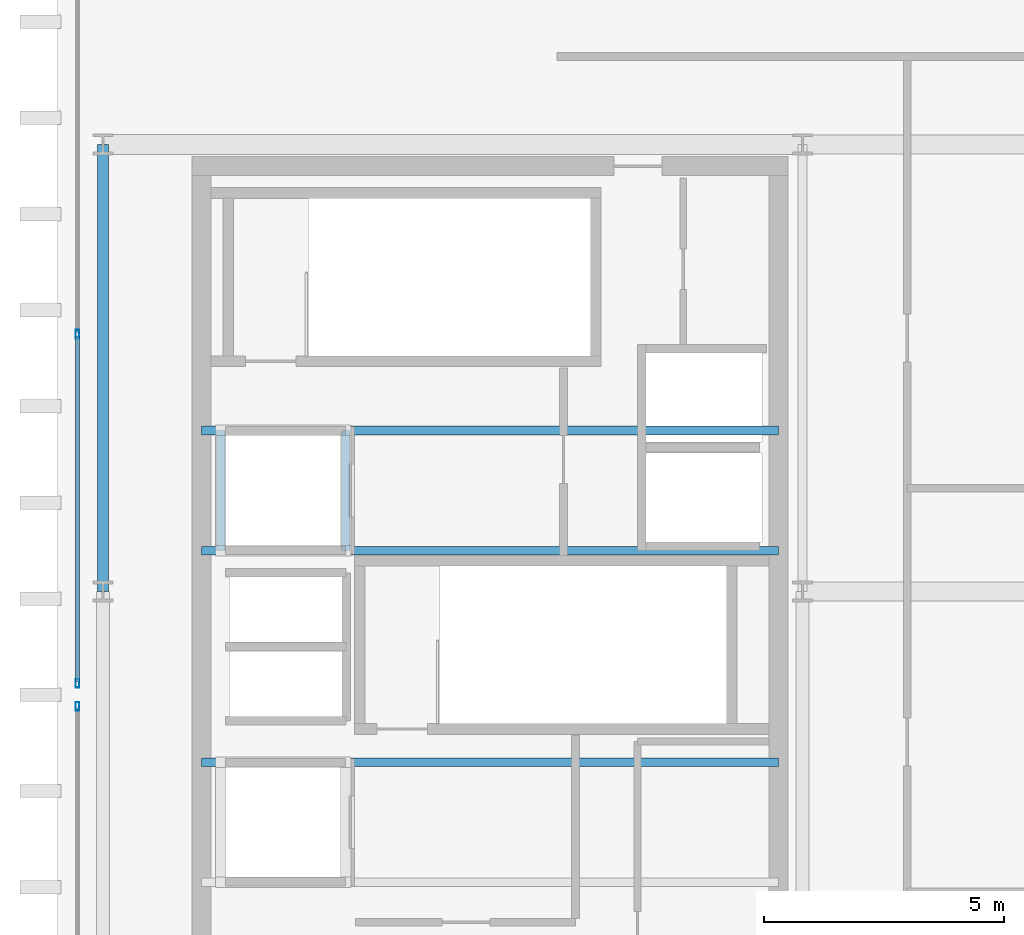
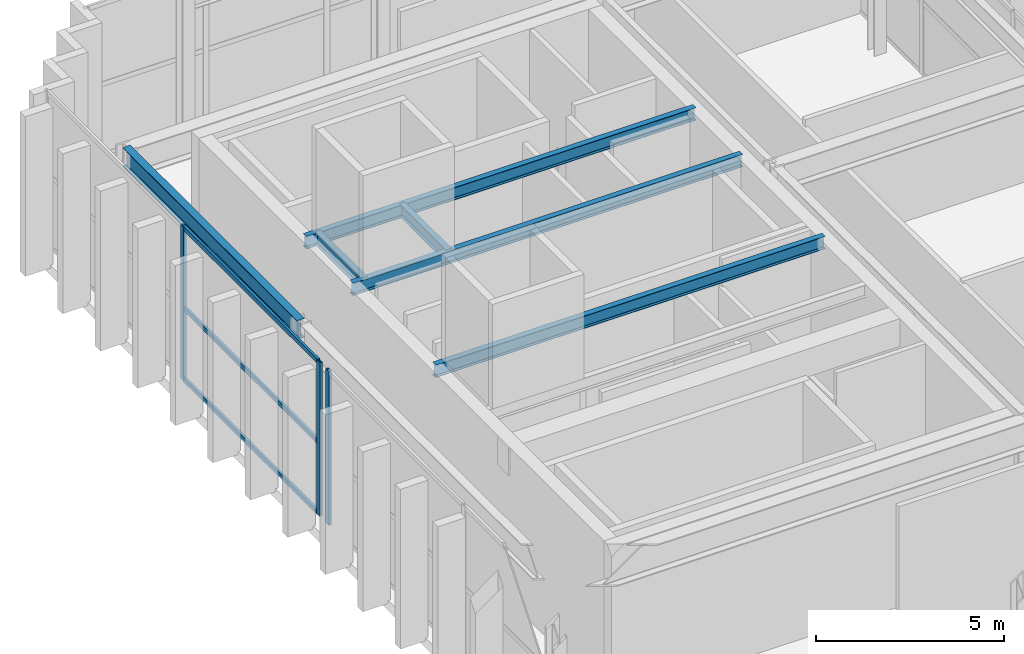
# One storey, part 6 of 14: 6 beams, 6 members, 2 elements without a shape of their own.
"""IFC4 building model written with IfcOpenShell, lengths in metres."""

import ifcopenshell
import ifcopenshell.guid

model = None  # the IFC model being written
_history = None  # IfcOwnerHistory: only IFC2X3 demands one
_inside = {}  # id of a spatial element -> (the spatial element, [elements in it])
_under = {}  # id of a project, library or spatial element -> (it, [spatial elements below it])
_declared = {}  # id of a project -> (the project, [libraries it declares])
_typed = {}  # id of a type object -> (the type object, [elements of that type])
_made_of = {}  # id of a material, layer set ... -> (it, [elements and type objects made of it])


def new_model(schema):
    """Start an empty IFC model of exactly this schema.

    Asked for "IFC4X3", IfcOpenShell would pick the latest addendum, in which some entities
    have other attributes; the version numbers below select the first issue.
    IFC2X3 requires an IfcOwnerHistory on every rooted entity: one is made here for all.
    """
    global model, _history
    if schema == "IFC4X3":
        model = ifcopenshell.file(schema_version=(4, 3, 0, 0))
    else:
        model = ifcopenshell.file(schema=schema)
    _inside.clear()
    _under.clear()
    _declared.clear()
    _typed.clear()
    _made_of.clear()
    _history = None
    if model.schema == "IFC2X3":
        org = make("IfcOrganization", Name="unknown")
        user = make(
            "IfcPersonAndOrganization",
            ThePerson=make("IfcPerson", FamilyName="unknown"),
            TheOrganization=org,
        )
        app = make(
            "IfcApplication",
            ApplicationDeveloper=org,
            Version="unknown",
            ApplicationFullName="unknown",
            ApplicationIdentifier="unknown",
        )
        _history = make(
            "IfcOwnerHistory",
            OwningUser=user,
            OwningApplication=app,
            ChangeAction="ADDED",
            CreationDate=0,
        )
    return model


def make(cls, **values):
    """One entity of the class cls with the attributes given. An attribute that is None is left unset."""
    return model.create_entity(
        cls, **{name: value for name, value in values.items() if value is not None}
    )


def rooted(cls, **values):
    """An entity with a GlobalId (a new one), such as an element, a storey or a relation."""
    return make(cls, GlobalId=ifcopenshell.guid.new(), OwnerHistory=_history, **values)


def si_unit(unit_type, name, prefix=None):
    """IfcSIUnit, for example si_unit("LENGTHUNIT", "METRE", prefix="MILLI")."""
    return make("IfcSIUnit", UnitType=unit_type, Prefix=prefix, Name=name)


def assignment(units):
    """IfcUnitAssignment: the units of a project."""
    return None if units is None else make("IfcUnitAssignment", Units=units)


def point(xyz):
    """IfcCartesianPoint."""
    return None if xyz is None else make("IfcCartesianPoint", Coordinates=xyz)


def direction(xyz):
    """IfcDirection."""
    return None if xyz is None else make("IfcDirection", DirectionRatios=xyz)


def frame(location, z_axis=None, x_axis=None):
    """IfcAxis2Placement3D, a coordinate frame: its origin and axes. An axis left out is left unset."""
    return make(
        "IfcAxis2Placement3D",
        Location=point(location),
        Axis=direction(z_axis),
        RefDirection=direction(x_axis),
    )


def frame_2d(location, x_axis=None):
    """IfcAxis2Placement2D, a coordinate frame in the plane: its origin and x axis."""
    return make(
        "IfcAxis2Placement2D", Location=point(location), RefDirection=direction(x_axis)
    )


def origin():
    """The frame at (0, 0, 0) with its axes left unset."""
    return frame((0.0, 0.0, 0.0))


def origin_2d():
    """The frame at (0, 0) in the plane with its x axis left unset."""
    return frame_2d((0.0, 0.0))


def place(relative_to, where):
    """IfcLocalPlacement: puts the frame where relative to a parent placement (None: the world)."""
    return make(
        "IfcLocalPlacement", PlacementRelTo=relative_to, RelativePlacement=where
    )


def context(
    kind, dimensions, precision=None, world=None, true_north=None, identifier=None
):
    """IfcGeometricRepresentationContext, for example the 3D "Model" context."""
    return make(
        "IfcGeometricRepresentationContext",
        ContextIdentifier=identifier,
        ContextType=kind,
        CoordinateSpaceDimension=dimensions,
        Precision=precision,
        WorldCoordinateSystem=world,
        TrueNorth=true_north,
    )


def subcontext(parent, identifier, kind, view, scale=None):
    """IfcGeometricRepresentationSubContext, for example "Body" below "Model"."""
    return make(
        "IfcGeometricRepresentationSubContext",
        ContextIdentifier=identifier,
        ContextType=kind,
        ParentContext=parent,
        TargetScale=scale,
        TargetView=view,
    )


def project(units=None, contexts=None):
    """IfcProject with its units and contexts."""
    return rooted(
        "IfcProject",
        Name="project",
        RepresentationContexts=contexts,
        UnitsInContext=assignment(units),
    )


def spatial(cls, under=None, at=None, **own):
    """A site, building, storey or space (cls), placed at a placement, below another one or the project."""
    s = rooted(cls, ObjectPlacement=at, **own)
    if under is not None:
        _under.setdefault(under.id(), (under, []))[1].append(s)
    return s


def profile(cls, at=None, kind="AREA", **sizes):
    """A parametric profile (cls). Its sizes go by their IFC names, for example OverallWidth=200.0."""
    return make(cls, ProfileType=kind, Position=at, **sizes)


def hollow_rectangle(**sizes):
    """IfcRectangleHollowProfileDef."""
    return profile("IfcRectangleHollowProfileDef", **sizes)


def i_section(**sizes):
    """IfcIShapeProfileDef."""
    return profile("IfcIShapeProfileDef", **sizes)


def extrude(swept, where, along, depth):
    """IfcExtrudedAreaSolid: the profile swept, set in the frame where, extruded along a direction by depth."""
    return make(
        "IfcExtrudedAreaSolid",
        SweptArea=swept,
        Position=where,
        ExtrudedDirection=direction(along),
        Depth=depth,
    )


def shape(context_of_items, identifier, shape_type, items):
    """IfcShapeRepresentation: the items that make up one representation, for example the "Body"."""
    return make(
        "IfcShapeRepresentation",
        ContextOfItems=context_of_items,
        RepresentationIdentifier=identifier,
        RepresentationType=shape_type,
        Items=items,
    )


def source(mapping_origin, context_of_items, identifier, shape_type, items):
    """IfcRepresentationMap: a shape defined once, which mapped items show again and again."""
    return make(
        "IfcRepresentationMap",
        MappingOrigin=mapping_origin,
        MappedRepresentation=shape(context_of_items, identifier, shape_type, items),
    )


def transform(
    local_origin,
    x_axis=None,
    y_axis=None,
    z_axis=None,
    scale=None,
    scale2=None,
    scale3=None,
    uniform=True,
):
    """IfcCartesianTransformationOperator3D, or its non-uniform kind. x_axis, y_axis, z_axis: its Axis1, 2, 3."""
    if uniform:
        return make(
            "IfcCartesianTransformationOperator3D",
            Axis1=direction(x_axis),
            Axis2=direction(y_axis),
            LocalOrigin=point(local_origin),
            Scale=scale,
            Axis3=direction(z_axis),
        )
    return make(
        "IfcCartesianTransformationOperator3DnonUniform",
        Axis1=direction(x_axis),
        Axis2=direction(y_axis),
        LocalOrigin=point(local_origin),
        Scale=scale,
        Axis3=direction(z_axis),
        Scale2=scale2,
        Scale3=scale3,
    )


def mapped(mapping_source, mapping_target):
    """IfcMappedItem: shows the shape of a source again, moved by a transform."""
    return make(
        "IfcMappedItem", MappingSource=mapping_source, MappingTarget=mapping_target
    )


def material(Name=None, Category=None):
    """IfcMaterial."""
    return make("IfcMaterial", Name=Name, Category=Category)


def layer(
    of_material, thickness, ventilated=None, Name=None, Category=None, Priority=None
):
    """IfcMaterialLayer: one layer of a wall or slab, of a material (None: an air gap)."""
    return make(
        "IfcMaterialLayer",
        Material=of_material,
        LayerThickness=thickness,
        IsVentilated=ventilated,
        Name=Name,
        Category=Category,
        Priority=Priority,
    )


def layer_set(layers, Name=None):
    """IfcMaterialLayerSet."""
    return make("IfcMaterialLayerSet", MaterialLayers=layers, LayerSetName=Name)


def material_profile(
    of_material, cross_section, Name=None, Category=None, Priority=None
):
    """IfcMaterialProfile: a cross section and its material."""
    return make(
        "IfcMaterialProfile",
        Name=Name,
        Material=of_material,
        Profile=cross_section,
        Priority=Priority,
        Category=Category,
    )


def profile_set(profiles, Name=None, composite=None):
    """IfcMaterialProfileSet."""
    return make(
        "IfcMaterialProfileSet",
        Name=Name,
        MaterialProfiles=profiles,
        CompositeProfile=composite,
    )


def made_of(thing, what):
    """Note that an element or type object is made of a material, layer set ...; save() writes the relation."""
    if what is not None:
        _made_of.setdefault(what.id(), (what, []))[1].append(thing)
    return thing


def type_object(cls, material=None, **own):
    """A type object (cls), such as IfcWallType, which elements share."""
    return made_of(rooted(cls, **own), material)


def element(
    cls,
    number,
    at=None,
    inside=None,
    cuts=None,
    type_object=None,
    material=None,
    context=None,
    identifier="Body",
    shape_type=None,
    held_by="IfcProductDefinitionShape",
    body=None,
    shapes=None,
    **own,
):
    """One element of the class cls, such as IfcWall. Its Tag is "e" and its number.

    at: its placement. inside: the storey or other place that contains it. cuts: it is an
    opening in that element (IfcRelVoidsElement). A single representation is given by context,
    identifier, shape_type and body (its items); several are given by shapes. held_by: the class
    of the entity that holds the representations. save() writes the other relations.
    """
    e = rooted(cls, Tag="e%d" % number, ObjectPlacement=at, **own)
    if body is not None:
        shapes = [shape(context, identifier, shape_type, body)]
    if shapes is not None:
        e.Representation = make(held_by, Representations=shapes)
    if inside is not None:
        _inside.setdefault(inside.id(), (inside, []))[1].append(e)
    if cuts is not None:
        rooted(
            "IfcRelVoidsElement", RelatingBuildingElement=cuts, RelatedOpeningElement=e
        )
    if type_object is not None:
        _typed.setdefault(type_object.id(), (type_object, []))[1].append(e)
    return made_of(e, material)


def aggregate(whole, parts):
    """IfcRelAggregates: a whole, such as a stair, and the parts it consists of."""
    return rooted("IfcRelAggregates", RelatingObject=whole, RelatedObjects=parts)


def save(model, path):
    """Write the relations noted so far, then the file.

    IfcRelAggregates (storeys below a building ...), IfcRelContainedInSpatialStructure (elements
    in a storey), IfcRelDefinesByType, IfcRelAssociatesMaterial and IfcRelDeclares: one each for
    every whole, place, type object, material and project.
    """
    for whole, parts in _under.values():
        aggregate(whole, parts)
    for where, things in _inside.values():
        rooted(
            "IfcRelContainedInSpatialStructure",
            RelatedElements=things,
            RelatingStructure=where,
        )
    for kind, things in _typed.values():
        rooted("IfcRelDefinesByType", RelatedObjects=things, RelatingType=kind)
    for what, things in _made_of.values():
        rooted("IfcRelAssociatesMaterial", RelatedObjects=things, RelatingMaterial=what)
    for by, libraries in _declared.values():
        rooted("IfcRelDeclares", RelatingContext=by, RelatedDefinitions=libraries)
    model.write(path)


model = new_model("IFC4")

# Units and contexts
model_context = context("Model", 3, precision=1e-05, world=origin(), true_north=direction((0.0, 1.0)))
body_context = subcontext(model_context, "Body", "Model", "MODEL_VIEW")
ifc_project = project(units=[si_unit("LENGTHUNIT", "METRE"), si_unit("AREAUNIT", "SQUARE_METRE"), si_unit("VOLUMEUNIT", "CUBIC_METRE"), si_unit("PLANEANGLEUNIT", "RADIAN"), si_unit("MASSUNIT", "GRAM", prefix="KILO")], contexts=[model_context])

# Site, building, storey
site_placement = place(None, origin())
site = spatial("IfcSite", under=ifc_project, at=site_placement, CompositionType="ELEMENT")
building_placement = place(site_placement, origin())
building = spatial("IfcBuilding", under=site, at=building_placement, Name="Ocotamira Hotel", CompositionType="ELEMENT")
storey_placement = place(building_placement, frame((0.0, 0.0, 309.60009765625)))
storey = spatial("IfcBuildingStorey", under=building, at=storey_placement, Name="L79", CompositionType="ELEMENT", Elevation=309.60009765625)

# Beams
ifc_material_1 = material(Name="Steel ASTM A992 Grade 50", Category="steel")
ifc_material_profile_1 = material_profile(ifc_material_1, i_section(OverallWidth=0.22998046875, OverallDepth=0.616943359375, WebThickness=0.01318359375, FlangeThickness=0.022216796875, FilletRadius=0.012939453125, at=origin_2d()), Name="W24X94")
ifc_profile_set_1 = profile_set([ifc_material_profile_1], Name="Steel ASTM A992 Grade 50")
beam_type_1 = type_object("IfcBeamType", Name="BM-PRIM-W24X94", PredefinedType="BEAM", material=ifc_profile_set_1)
shared_shape_1 = source(origin(), body_context, "Body", "SweptSolid", [
    extrude(i_section(OverallWidth=0.22998046875, OverallDepth=0.616943359375, WebThickness=0.01318359375, FlangeThickness=0.022216796875, FilletRadius=0.012939453125, at=origin_2d()), origin(), (0.0, 0.0, 1.0), 9.300048828125),
])
beam_placement = place(storey_placement, frame((8.949951171875, 28.14990234375, 4.69140625), z_axis=(0.0, 1.0, 0.0), x_axis=(-1.0, 0.0, 0.0)))
element("IfcBeam", 1, at=beam_placement, inside=storey, type_object=beam_type_1, Name="L79 Beam X8.95 Y28.15-37.45", PredefinedType="BEAM", context=body_context, shape_type="MappedRepresentation", body=[
    mapped(shared_shape_1, transform((0.0, 0.0, 0.0), scale=1.0)),
])
ifc_material_profile_2 = material_profile(ifc_material_1, i_section(OverallWidth=0.178955078125, OverallDepth=0.408935546875, WebThickness=0.0087890625, FlangeThickness=0.014404296875, FilletRadius=0.010009765625, at=origin_2d()), Name="W16X45")
ifc_profile_set_2 = profile_set([ifc_material_profile_2], Name="Steel ASTM A992 Grade 50")
beam_type_2 = type_object("IfcBeamType", Name="BM-CURB-W16X45", PredefinedType="BEAM", material=ifc_profile_set_2)
shared_shape_2 = source(origin(), body_context, "Body", "SweptSolid", [
    extrude(i_section(OverallWidth=0.178955078125, OverallDepth=0.408935546875, WebThickness=0.0087890625, FlangeThickness=0.014404296875, FilletRadius=0.010009765625, at=origin_2d()), origin(), (0.0, 0.0, 1.0), 12.0),
])
for number, where, z_axis, x_axis, name in (
    (2, (11.0, 24.60009765625, 4.79541015625), (1.0, 0.0, 0.0), (0.0, 1.0, 0.0), "L79 FSAE Overrun Curb Beam 2"),
    (3, (11.0, 29.0, 4.79541015625), (1.0, 0.0, 0.0), (0.0, 1.0, 0.0), "L79 FSAE Overrun Curb Beam 3"),
    (4, (11.0, 31.5, 4.79541015625), (1.0, 0.0, 0.0), (0.0, 1.0, 0.0), "L79 FSAE Overrun Curb Beam 4"),
):
    element("IfcBeam", number, at=place(storey_placement, frame(where, z_axis=z_axis, x_axis=x_axis)), inside=storey, type_object=beam_type_2, Name=name, PredefinedType="BEAM", context=body_context, shape_type="MappedRepresentation", body=[
        mapped(shared_shape_2, transform((0.0, 0.0, 0.0), scale=1.0)),
    ])
shared_shape_3 = source(origin(), body_context, "Body", "SweptSolid", [
    extrude(i_section(OverallWidth=0.178955078125, OverallDepth=0.408935546875, WebThickness=0.0087890625, FlangeThickness=0.014404296875, FilletRadius=0.010009765625, at=origin_2d()), origin(), (0.0, 0.0, 1.0), 2.5),
])
for number, where, z_axis, x_axis, name in (
    (5, (11.39990234375, 29.0, 4.79541015625), (0.0, 1.0, 0.0), (-1.0, 0.0, 0.0), "L79 FSAE 2 Overrun Curb Girder NS 1"),
    (6, (14.0, 29.0, 4.79541015625), (0.0, 1.0, 0.0), (-1.0, 0.0, 0.0), "L79 FSAE 2 Overrun Curb Girder NS 2"),
):
    element("IfcBeam", number, at=place(storey_placement, frame(where, z_axis=z_axis, x_axis=x_axis)), inside=storey, type_object=beam_type_2, Name=name, PredefinedType="BEAM", context=body_context, shape_type="MappedRepresentation", body=[
        mapped(shared_shape_3, transform((0.0, 0.0, 0.0), scale=1.0)),
    ])

# Curtain wall, members
ifc_material_2 = material(Name="Anodised pale-metal aluminium and solar glass", Category="aluminium")
ifc_layer = layer(ifc_material_2, 0.2099609375)
ifc_layer_set = layer_set([ifc_layer], Name="Anodised pale-metal aluminium and solar glass")
curtain_wall_type = type_object("IfcCurtainWallType", Name="CW-SYS7-PEAK", PredefinedType="NOTDEFINED", material=ifc_layer_set)
curtain_wall_1_placement = place(storey_placement, origin())
curtain_wall_1 = element("IfcCurtainWall", 7, at=curtain_wall_1_placement, inside=storey, type_object=curtain_wall_type, Name="L79 Curtain Wall CW-7 CW-L79-W2", PredefinedType="NOTDEFINED")
ifc_material_3 = material(Name="Anodised pale-metal aluminium 6063-T6", Category="aluminium")
ifc_material_profile_3 = material_profile(ifc_material_3, hollow_rectangle(XDim=0.074951171875, YDim=0.14990234375, WallThickness=0.006103515625, at=origin_2d()), Name="HSS150X75X6")
ifc_profile_set_3 = profile_set([ifc_material_profile_3], Name="Anodised pale-metal aluminium 6063-T6")
member_type_1 = type_object("IfcMemberType", Name="CWT-150X75", PredefinedType="USERDEFINED", material=ifc_profile_set_3)
shared_shape_4 = source(origin(), body_context, "Body", "SweptSolid", [
    extrude(hollow_rectangle(XDim=0.074951171875, YDim=0.14990234375, WallThickness=0.006103515625, at=origin_2d()), origin(), (0.0, 0.0, 1.0), 7.179931640625),
])
member_1_placement = place(storey_placement, frame((8.419921875, 26.280029296875, 0.037353515625), z_axis=(0.0, 1.0, 0.0), x_axis=(-1.0, 0.0, 0.0)))
member_1 = element("IfcMember", 8, at=member_1_placement, type_object=member_type_1, Name="CW-7 transom 1.1", ObjectType="TRANSOM", PredefinedType="USERDEFINED", context=body_context, shape_type="MappedRepresentation", body=[
    mapped(shared_shape_4, transform((0.0, 0.0, 0.0), scale=1.0)),
])
member_2_placement = place(storey_placement, frame((8.419921875, 26.280029296875, 2.349853515625), z_axis=(0.0, 1.0, 0.0), x_axis=(-1.0, 0.0, 0.0)))
member_2 = element("IfcMember", 9, at=member_2_placement, type_object=member_type_1, Name="CW-7 transom 1.2", ObjectType="TRANSOM", PredefinedType="USERDEFINED", context=body_context, shape_type="MappedRepresentation", body=[
    mapped(shared_shape_4, transform((0.0, 0.0, 0.0), scale=1.0)),
])
member_3_placement = place(storey_placement, frame((8.419921875, 26.280029296875, 4.96240234375), z_axis=(0.0, 1.0, 0.0), x_axis=(-1.0, 0.0, 0.0)))
member_3 = element("IfcMember", 10, at=member_3_placement, type_object=member_type_1, Name="CW-7 transom 1.3", ObjectType="TRANSOM", PredefinedType="USERDEFINED", context=body_context, shape_type="MappedRepresentation", body=[
    mapped(shared_shape_4, transform((0.0, 0.0, 0.0), scale=1.0)),
])

# Curtain wall, member
curtain_wall_2_placement = place(storey_placement, origin())
curtain_wall_2 = element("IfcCurtainWall", 11, at=curtain_wall_2_placement, inside=storey, type_object=curtain_wall_type, Name="L79 Curtain Wall CW-7 CW-L79-W1", PredefinedType="NOTDEFINED")
ifc_material_profile_4 = material_profile(ifc_material_3, hollow_rectangle(XDim=0.080078125, YDim=0.179931640625, WallThickness=0.006103515625, at=origin_2d()), Name="HSS180X80X6")
ifc_profile_set_4 = profile_set([ifc_material_profile_4], Name="Anodised pale-metal aluminium 6063-T6")
member_type_2 = type_object("IfcMemberType", Name="CWM-180X75", PredefinedType="MULLION", material=ifc_profile_set_4)
shared_shape_5 = source(origin(), body_context, "Body", "SweptSolid", [
    extrude(hollow_rectangle(XDim=0.080078125, YDim=0.179931640625, WallThickness=0.006103515625, at=origin_2d()), origin(), (0.0, 0.0, 1.0), 5.0),
])
member_4_placement = place(storey_placement, frame((8.419921875, 25.760009765625, 0.0), z_axis=(0.0, 0.0, 1.0), x_axis=(-1.0, 0.0, 0.0)))
member_4 = element("IfcMember", 12, at=member_4_placement, type_object=member_type_2, Name="CW-7 mullion 3", PredefinedType="MULLION", context=body_context, shape_type="MappedRepresentation", body=[
    mapped(shared_shape_5, transform((0.0, 0.0, 0.0), scale=1.0)),
])
aggregate(curtain_wall_2, [member_4])

# Member
member_5_placement = place(storey_placement, frame((8.419921875, 26.239990234375, 0.0), z_axis=(0.0, 0.0, 1.0), x_axis=(-1.0, 0.0, 0.0)))
member_5 = element("IfcMember", 13, at=member_5_placement, type_object=member_type_2, Name="CW-7 mullion 1", PredefinedType="MULLION", context=body_context, shape_type="MappedRepresentation", body=[
    mapped(shared_shape_5, transform((0.0, 0.0, 0.0), scale=1.0)),
])

member_6_placement = place(storey_placement, frame((8.419921875, 33.5, 0.0), z_axis=(0.0, 0.0, 1.0), x_axis=(-1.0, 0.0, 0.0)))
member_6 = element("IfcMember", 14, at=member_6_placement, type_object=member_type_2, Name="CW-7 mullion 2", PredefinedType="MULLION", context=body_context, shape_type="MappedRepresentation", body=[
    mapped(shared_shape_5, transform((0.0, 0.0, 0.0), scale=1.0)),
])

aggregate(curtain_wall_1, [member_5, member_6, member_1, member_2, member_3])

save(model, "model.ifc")
